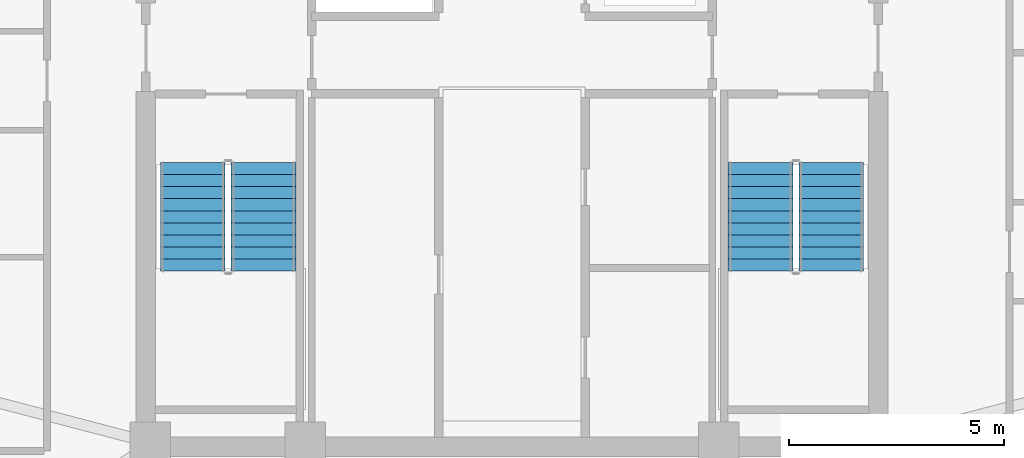
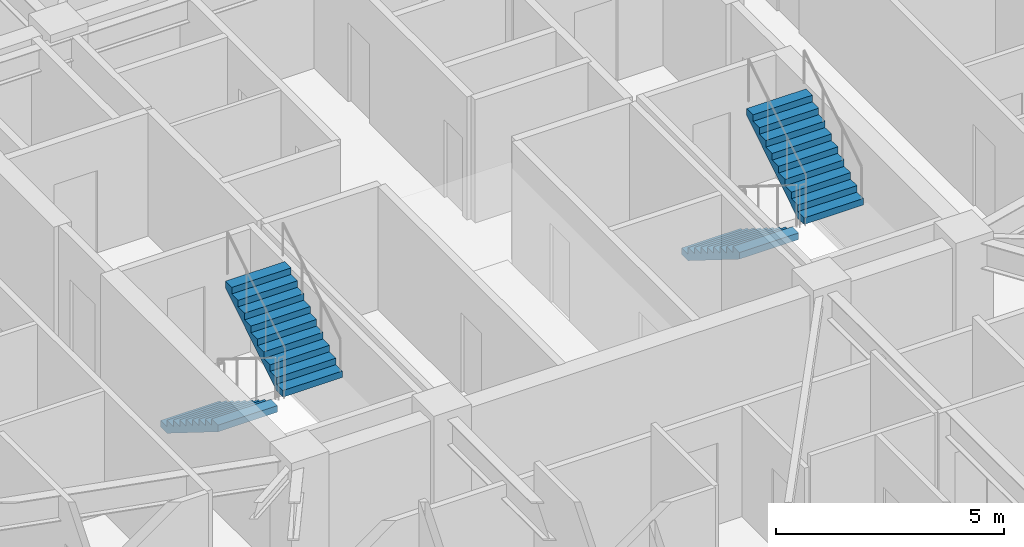
# One storey, part 12 of 17: 4 stair flights, 2 elements without a shape of their own.
"""IFC4 building model written with IfcOpenShell, lengths in metres."""

from ifc_helpers import new_model, si_unit, direction, frame, origin, place, context, subcontext, project, spatial, polyline, outline, extrude, material, type_object, element, aggregate, save


model = new_model("IFC4")

# Units and contexts
model_context = context("Model", 3, precision=1e-05, world=origin(), true_north=direction((0.0, 1.0)))
body_context = subcontext(model_context, "Body", "Model", "MODEL_VIEW")
ifc_project = project(units=[si_unit("LENGTHUNIT", "METRE"), si_unit("AREAUNIT", "SQUARE_METRE"), si_unit("VOLUMEUNIT", "CUBIC_METRE"), si_unit("PLANEANGLEUNIT", "RADIAN"), si_unit("MASSUNIT", "GRAM", prefix="KILO")], contexts=[model_context])

# Site, building, storey
site_placement = place(None, origin())
site = spatial("IfcSite", under=ifc_project, at=site_placement, CompositionType="ELEMENT")
building_placement = place(site_placement, origin())
building = spatial("IfcBuilding", under=site, at=building_placement, Name="Cairnveth Concourse Tower", CompositionType="ELEMENT")
storey_placement = place(building_placement, frame((0.0, 0.0, 262.0)))
storey = spatial("IfcBuildingStorey", under=building, at=storey_placement, Name="L72", CompositionType="ELEMENT", Elevation=262.0)

# Stair, stair flights
ifc_material = material(Name="Precast concrete N50 (50 MPa)", Category="concrete")
stair_type = type_object("IfcStairType", Name="CORE DOG-LEG FIRE STAIR 1500", PredefinedType="HALF_TURN_STAIR", material=ifc_material)
stair_1_placement = place(storey_placement, origin())
stair_1 = element("IfcStair", 1, at=stair_1_placement, inside=storey, type_object=stair_type, Name="L72 Fire-Isolated Stair ST-1", PredefinedType="HALF_TURN_STAIR")
stair_flight_type = type_object("IfcStairFlightType", Name="PRECAST CONCRETE STAIR FLIGHT 1500", PredefinedType="STRAIGHT", material=ifc_material)
stair_flight_1_placement = place(storey_placement, frame((44.590087890625, 37.10009765625, 0.0), z_axis=(0.0, 0.0, 1.0), x_axis=(0.0, -1.0, 0.0)))
stair_flight_1 = element("IfcStairFlight", 2, at=stair_flight_1_placement, type_object=stair_flight_type, Name="ST-1 flight 1", NumberOfRisers=10, NumberOfTreads=9, PredefinedType="STRAIGHT", RiserHeight=0.175, TreadLength=0.28, context=body_context, shape_type="SweptSolid", body=[
    extrude(outline(polyline([(0.0, 0.0), (0.0, 0.175048828125), (0.280029296875, 0.175048828125), (0.280029296875, 0.35009765625), (0.56005859375, 0.35009765625), (0.56005859375, 0.52490234375), (0.840087890625, 0.52490234375), (0.840087890625, 0.699951171875), (1.1201171875, 0.699951171875), (1.1201171875, 0.875), (1.39990234375, 0.875), (1.39990234375, 1.050048828125), (1.679931640625, 1.050048828125), (1.679931640625, 1.22509765625), (1.9599609375, 1.22509765625), (1.9599609375, 1.39990234375), (2.239990234375, 1.39990234375), (2.239990234375, 1.574951171875), (2.52001953125, 1.574951171875), (2.52001953125, 1.75), (2.52001953125, 1.398193359375), (0.28271484375, 0.0), (0.0, 0.0)])), frame((0.0, 0.75, 0.0), z_axis=(0.0, -1.0, 0.0), x_axis=(1.0, 0.0, 0.0)), (0.0, 0.0, 1.0), 1.5),
])
stair_flight_2_placement = place(storey_placement, frame((46.22998046875, 34.580078125, 1.75), z_axis=(0.0, 0.0, 1.0), x_axis=(0.0, 1.0, 0.0)))
stair_flight_2 = element("IfcStairFlight", 3, at=stair_flight_2_placement, type_object=stair_flight_type, Name="ST-1 flight 2", NumberOfRisers=10, NumberOfTreads=9, PredefinedType="STRAIGHT", RiserHeight=0.175, TreadLength=0.28, context=body_context, shape_type="SweptSolid", body=[
    extrude(outline(polyline([(0.0, 0.0), (0.0, 0.175048828125), (0.280029296875, 0.175048828125), (0.280029296875, 0.35009765625), (0.56005859375, 0.35009765625), (0.56005859375, 0.52490234375), (0.840087890625, 0.52490234375), (0.840087890625, 0.699951171875), (1.1201171875, 0.699951171875), (1.1201171875, 0.875), (1.39990234375, 0.875), (1.39990234375, 1.050048828125), (1.679931640625, 1.050048828125), (1.679931640625, 1.22509765625), (1.9599609375, 1.22509765625), (1.9599609375, 1.39990234375), (2.239990234375, 1.39990234375), (2.239990234375, 1.574951171875), (2.52001953125, 1.574951171875), (2.52001953125, 1.75), (2.52001953125, 1.398193359375), (0.28271484375, 0.0), (0.0, 0.0)])), frame((0.0, 0.75, 0.0), z_axis=(0.0, -1.0, 0.0), x_axis=(1.0, 0.0, 0.0)), (0.0, 0.0, 1.0), 1.5),
])
aggregate(stair_1, [stair_flight_1, stair_flight_2])

stair_2_placement = place(storey_placement, origin())
stair_2 = element("IfcStair", 4, at=stair_2_placement, inside=storey, type_object=stair_type, Name="L72 Fire-Isolated Stair ST-2", PredefinedType="HALF_TURN_STAIR")
stair_flight_3_placement = place(storey_placement, frame((57.77001953125, 37.10009765625, 0.0), z_axis=(0.0, 0.0, 1.0), x_axis=(0.0, -1.0, 0.0)))
stair_flight_3 = element("IfcStairFlight", 5, at=stair_flight_3_placement, type_object=stair_flight_type, Name="ST-2 flight 1", NumberOfRisers=10, NumberOfTreads=9, PredefinedType="STRAIGHT", RiserHeight=0.175, TreadLength=0.28, context=body_context, shape_type="SweptSolid", body=[
    extrude(outline(polyline([(0.0, 0.0), (0.0, 0.175048828125), (0.280029296875, 0.175048828125), (0.280029296875, 0.35009765625), (0.56005859375, 0.35009765625), (0.56005859375, 0.52490234375), (0.840087890625, 0.52490234375), (0.840087890625, 0.699951171875), (1.1201171875, 0.699951171875), (1.1201171875, 0.875), (1.39990234375, 0.875), (1.39990234375, 1.050048828125), (1.679931640625, 1.050048828125), (1.679931640625, 1.22509765625), (1.9599609375, 1.22509765625), (1.9599609375, 1.39990234375), (2.239990234375, 1.39990234375), (2.239990234375, 1.574951171875), (2.52001953125, 1.574951171875), (2.52001953125, 1.75), (2.52001953125, 1.398193359375), (0.28271484375, 0.0), (0.0, 0.0)])), frame((0.0, 0.75, 0.0), z_axis=(0.0, -1.0, 0.0), x_axis=(1.0, 0.0, 0.0)), (0.0, 0.0, 1.0), 1.5),
])
stair_flight_4_placement = place(storey_placement, frame((59.409912109375, 34.580078125, 1.75), z_axis=(0.0, 0.0, 1.0), x_axis=(0.0, 1.0, 0.0)))
stair_flight_4 = element("IfcStairFlight", 6, at=stair_flight_4_placement, type_object=stair_flight_type, Name="ST-2 flight 2", NumberOfRisers=10, NumberOfTreads=9, PredefinedType="STRAIGHT", RiserHeight=0.175, TreadLength=0.28, context=body_context, shape_type="SweptSolid", body=[
    extrude(outline(polyline([(0.0, 0.0), (0.0, 0.175048828125), (0.280029296875, 0.175048828125), (0.280029296875, 0.35009765625), (0.56005859375, 0.35009765625), (0.56005859375, 0.52490234375), (0.840087890625, 0.52490234375), (0.840087890625, 0.699951171875), (1.1201171875, 0.699951171875), (1.1201171875, 0.875), (1.39990234375, 0.875), (1.39990234375, 1.050048828125), (1.679931640625, 1.050048828125), (1.679931640625, 1.22509765625), (1.9599609375, 1.22509765625), (1.9599609375, 1.39990234375), (2.239990234375, 1.39990234375), (2.239990234375, 1.574951171875), (2.52001953125, 1.574951171875), (2.52001953125, 1.75), (2.52001953125, 1.398193359375), (0.28271484375, 0.0), (0.0, 0.0)])), frame((0.0, 0.75, 0.0), z_axis=(0.0, -1.0, 0.0), x_axis=(1.0, 0.0, 0.0)), (0.0, 0.0, 1.0), 1.5),
])
aggregate(stair_2, [stair_flight_3, stair_flight_4])

save(model, "model.ifc")
